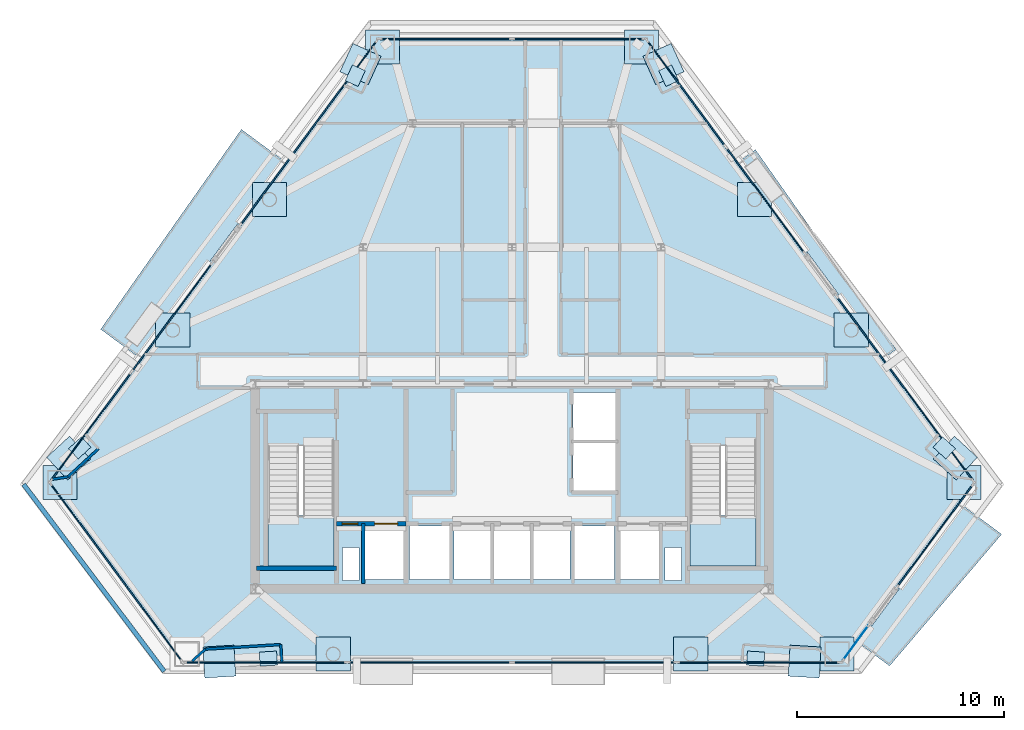
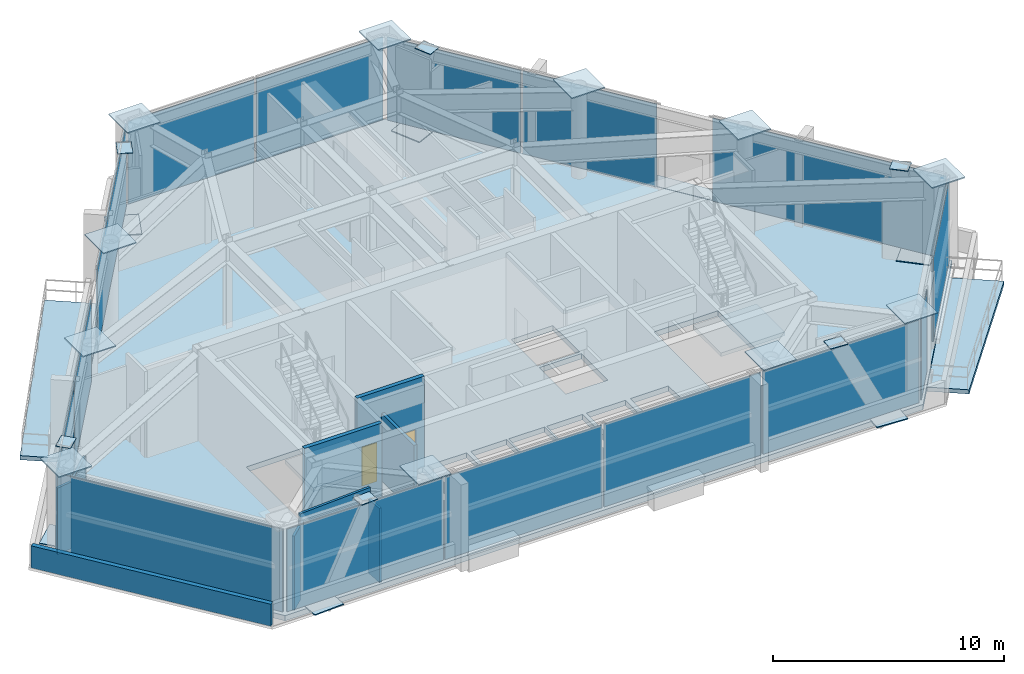
# One storey, part 4 of 9: 38 plates, 9 walls, 6 slabs, 2 doors, 2 openings, 11 elements without a shape of their own.
"""IFC4 building model written with IfcOpenShell, lengths in metres."""

from ifc_helpers import new_model, si_unit, direction, frame, frame_2d, origin, origin_2d, place, context, subcontext, project, spatial, polyline, rectangle, outline, extrude, source, transform, mapped, material, layer, layer_set, type_object, type_shapes, element, fill, aggregate, save


model = new_model("IFC4")

# Units and contexts
model_context = context("Model", 3, precision=1e-05, world=origin(), true_north=direction((0.0, 1.0)))
body_context = subcontext(model_context, "Body", "Model", "MODEL_VIEW")
ifc_project = project(units=[si_unit("LENGTHUNIT", "METRE"), si_unit("AREAUNIT", "SQUARE_METRE"), si_unit("VOLUMEUNIT", "CUBIC_METRE"), si_unit("PLANEANGLEUNIT", "RADIAN"), si_unit("MASSUNIT", "GRAM", prefix="KILO")], contexts=[model_context])

# Site, building, storey
site_placement = place(None, origin())
site = spatial("IfcSite", under=ifc_project, at=site_placement, CompositionType="ELEMENT")
building_placement = place(site_placement, origin())
building = spatial("IfcBuilding", under=site, at=building_placement, Name="Talgorran Terracotta Tower", CompositionType="ELEMENT")
storey_placement = place(building_placement, frame((0.0, 0.0, 94.800048828125)))
storey = spatial("IfcBuildingStorey", under=building, at=storey_placement, Name="L24", CompositionType="ELEMENT", Elevation=94.800048828125)

# Plates
ifc_material_1 = material(Name="Steel Grade 350 (350L0)", Category="steel")
ifc_layer_1 = layer(ifc_material_1, 0.035888671875, Name="PL_CAP_MN06")
ifc_layer_set_1 = layer_set([ifc_layer_1], Name="Steel Grade 350 (350L0)")
plate_type_1 = type_object("IfcPlateType", Name="PL_CAP_MN06", PredefinedType="USERDEFINED", material=ifc_layer_set_1)
for number, where, z_axis, x_axis, name in (
    (1, (-11.77099609375, -17.4677734375, 4.52197265625), (0.0, 0.0, 1.0), (0.9981454382, 0.06087433122, 0.0), "L24 Diagonal Frame End Cap SWF Top"),
    (2, (11.77099609375, -17.4677734375, 4.52197265625), (0.0, 0.0, 1.0), (-0.9981454382, 0.06087433122, 0.0), "L24 Diagonal Frame End Cap SEF Top"),
    (3, (20.881591796875, -7.2880859375, 4.52197265625), (0.0, 0.0, 1.0), (-0.735387860781, 0.67764643747, 0.0), "L24 Diagonal Frame End Cap NEL Top"),
    (4, (7.572021484375, 10.694580078125, 4.52197265625), (0.0, 0.0, 1.0), (0.41294547925, -0.91075574726, 0.0), "L24 Diagonal Frame End Cap NEU Top"),
    (5, (-7.572021484375, 10.694580078125, 4.52197265625), (0.0, 0.0, 1.0), (-0.41294547925, -0.91075574726, 0.0), "L24 Diagonal Frame End Cap NWU Top"),
    (6, (-20.881591796875, -7.2880859375, 4.52197265625), (0.0, 0.0, 1.0), (0.735387860781, 0.67764643747, 0.0), "L24 Diagonal Frame End Cap NWL Top"),
):
    element("IfcPlate", number, at=place(storey_placement, frame(where, z_axis=z_axis, x_axis=x_axis)), inside=storey, type_object=plate_type_1, Name=name, ObjectType="CAP PLATE", PredefinedType="USERDEFINED", context=body_context, shape_type="SweptSolid", body=[
        extrude(rectangle(XDim=0.840087890625, YDim=0.679931640625, at=origin_2d()), origin(), (0.0, 0.0, 1.0), 0.035888671875),
    ])
ifc_layer_2 = layer(ifc_material_1, 0.06005859375, Name="PL_NODE_MN01")
ifc_layer_set_2 = layer_set([ifc_layer_2], Name="Steel Grade 350 (350L0)")
plate_type_2 = type_object("IfcPlateType", Name="PL_NODE_MN01", PredefinedType="USERDEFINED", material=ifc_layer_set_2)
for number, where, z_axis, x_axis, name in (
    (7, (-21.843994140625, -8.96142578125, 4.784912109375), (0.0, 0.0, 1.0), (1.0, 0.0, 0.0), "L24 Mega-Column Cap Plate MC1"),
    (8, (15.70361328125, -17.252197265625, 4.784912109375), (0.0, 0.0, 1.0), (1.0, 0.0, 0.0), "L24 Mega-Column Cap Plate MC3"),
    (9, (21.843994140625, -8.96142578125, 4.784912109375), (0.0, 0.0, 1.0), (1.0, 0.0, 0.0), "L24 Mega-Column Cap Plate MC4"),
    (10, (6.263671875, 12.074951171875, 4.784912109375), (0.0, 0.0, 1.0), (1.0, 0.0, 0.0), "L24 Mega-Column Cap Plate MC5"),
    (11, (-6.263671875, 12.074951171875, 4.784912109375), (0.0, 0.0, 1.0), (1.0, 0.0, 0.0), "L24 Mega-Column Cap Plate MC6"),
    (12, (-8.636962890625, -17.252197265625, 4.784912109375), (0.0, 0.0, 1.0), (1.0, 0.0, 0.0), "L24 Facet Column Cap Plate FC1"),
    (13, (8.636962890625, -17.252197265625, 4.784912109375), (0.0, 0.0, 1.0), (1.0, 0.0, 0.0), "L24 Facet Column Cap Plate FC2"),
    (14, (16.390869140625, -1.598876953125, 4.784912109375), (0.0, 0.0, 1.0), (1.0, 0.0, 0.0), "L24 Facet Column Cap Plate FC3"),
    (15, (11.716796875, 4.712158203125, 4.784912109375), (0.0, 0.0, 1.0), (1.0, 0.0, 0.0), "L24 Facet Column Cap Plate FC4"),
    (16, (-11.716796875, 4.712158203125, 4.784912109375), (0.0, 0.0, 1.0), (1.0, 0.0, 0.0), "L24 Facet Column Cap Plate FC5"),
    (17, (-16.390869140625, -1.598876953125, 4.784912109375), (0.0, 0.0, 1.0), (1.0, 0.0, 0.0), "L24 Facet Column Cap Plate FC6"),
):
    element("IfcPlate", number, at=place(storey_placement, frame(where, z_axis=z_axis, x_axis=x_axis)), inside=storey, type_object=plate_type_2, Name=name, ObjectType="NODE PLATE", PredefinedType="USERDEFINED", context=body_context, shape_type="SweptSolid", body=[
        extrude(rectangle(XDim=1.64990234375, YDim=1.64990234375, at=origin_2d()), origin(), (0.0, 0.0, 1.0), 0.06005859375),
    ])
ifc_layer_3 = layer(ifc_material_1, 0.054931640625, Name="PL_NODE_MN02")
ifc_layer_set_3 = layer_set([ifc_layer_3], Name="Steel Grade 350 (350L0)")
plate_type_3 = type_object("IfcPlateType", Name="PL_NODE_MN02", PredefinedType="USERDEFINED", material=ifc_layer_set_3)
for number, where, z_axis, x_axis, name in (
    (18, (-14.1376953125, -17.6123046875, -0.017578125), (0.0, 0.0, 1.0), (0.9981454382, 0.06087433122, 0.0), "L24 Diagonal Frame End Cap SWF Bot"),
    (19, (14.1376953125, -17.6123046875, -0.017578125), (0.0, 0.0, 1.0), (-0.9981454382, 0.06087433122, 0.0), "L24 Diagonal Frame End Cap SEF Bot"),
    (20, (21.42041015625, -7.78466796875, -0.017578125), (0.0, 0.0, 1.0), (-0.735387860781, 0.67764643747, 0.0), "L24 Diagonal Frame End Cap NEL Bot"),
    (21, (7.316650390625, 11.258056640625, -0.017578125), (0.0, 0.0, 1.0), (0.41294547925, -0.91075574726, 0.0), "L24 Diagonal Frame End Cap NEU Bot"),
    (22, (-7.316650390625, 11.258056640625, -0.017578125), (0.0, 0.0, 1.0), (-0.41294547925, -0.91075574726, 0.0), "L24 Diagonal Frame End Cap NWU Bot"),
    (23, (-21.42041015625, -7.78466796875, -0.017578125), (0.0, 0.0, 1.0), (0.735387860781, 0.67764643747, 0.0), "L24 Diagonal Frame End Cap NWL Bot"),
):
    element("IfcPlate", number, at=place(storey_placement, frame(where, z_axis=z_axis, x_axis=x_axis)), inside=storey, type_object=plate_type_3, Name=name, ObjectType="NODE PLATE", PredefinedType="USERDEFINED", context=body_context, shape_type="SweptSolid", body=[
        extrude(rectangle(XDim=1.5, YDim=1.5, at=origin_2d()), origin(), (0.0, 0.0, 1.0), 0.054931640625),
    ])

# Slabs
ifc_material_2 = material(Name="Concrete C40/50", Category="concrete")
ifc_layer_4 = layer(ifc_material_2, 0.219970703125, Name="SL_BALCONY_220")
ifc_layer_set_4 = layer_set([ifc_layer_4], Name="Concrete C40/50")
slab_type_1 = type_object("IfcSlabType", Name="SL_BALCONY_220", PredefinedType="FLOOR", material=ifc_layer_set_4)
slab_1_placement = place(storey_placement, frame((0.0, 0.0, -0.219970703125)))
element("IfcSlab", 24, at=slab_1_placement, inside=storey, type_object=slab_type_1, Name="L24 Outdoor Wave Balcony BAL-NE", PredefinedType="FLOOR", context=body_context, shape_type="SweptSolid", body=[
    extrude(outline(polyline([(11.008056640625, 6.568115234375), (18.03271484375, -2.916748046875), (18.554931640625, -2.530029296875), (11.757568359375, 7.123291015625), (11.008056640625, 6.568115234375)])), origin(), (0.0, 0.0, 1.0), 0.219970703125),
])
slab_2_placement = place(storey_placement, frame((0.0, 0.0, -0.219970703125)))
element("IfcSlab", 25, at=slab_2_placement, inside=storey, type_object=slab_type_1, Name="L24 Outdoor Wave Balcony BAL-NW", PredefinedType="FLOOR", context=body_context, shape_type="SweptSolid", body=[
    extrude(outline(polyline([(-18.03271484375, -2.916748046875), (-11.008056640625, 6.568115234375), (-13.073486328125, 8.097900390625), (-19.870849609375, -1.555419921875), (-18.03271484375, -2.916748046875)])), origin(), (0.0, 0.0, 1.0), 0.219970703125),
])
slab_3_placement = place(storey_placement, frame((0.0, 0.0, -0.219970703125)))
element("IfcSlab", 26, at=slab_3_placement, inside=storey, type_object=slab_type_1, Name="L24 Outdoor Wave Balcony BAL-SE", PredefinedType="FLOOR", context=body_context, shape_type="SweptSolid", body=[
    extrude(outline(polyline([(21.72021484375, -10.027587890625), (16.7607421875, -16.723876953125), (18.24169921875, -17.820556640625), (23.655517578125, -11.461181640625), (21.72021484375, -10.027587890625)])), origin(), (0.0, 0.0, 1.0), 0.219970703125),
])
ifc_layer_5 = layer(ifc_material_2, 0.280029296875, Name="SL_HALL_280")
ifc_layer_set_5 = layer_set([ifc_layer_5], Name="Concrete C40/50")
slab_type_2 = type_object("IfcSlabType", Name="SL_HALL_280", PredefinedType="FLOOR", material=ifc_layer_set_5)
slab_4_placement = place(storey_placement, frame((0.0, 0.0, -0.280029296875)))
element("IfcSlab", 27, at=slab_4_placement, inside=storey, type_object=slab_type_2, Name="Storey L24 Structural Floor Slab", PredefinedType="FLOOR", context=body_context, shape_type="SweptSolid", body=[
    extrude(outline(polyline([(-22.4912109375, -8.96142578125), (-15.965576171875, -17.772216796875), (15.965576171875, -17.772216796875), (22.4912109375, -8.96142578125), (6.525634765625, 12.594970703125), (-6.525634765625, 12.594970703125), (-22.4912109375, -8.96142578125)]), holes=[polyline([(-11.800048828125, -7.199951171875), (-11.800048828125, -13.0), (-8.60009765625, -13.0), (-8.60009765625, -7.199951171875), (-11.800048828125, -7.199951171875)]), polyline([(8.60009765625, -7.199951171875), (8.60009765625, -13.0), (11.800048828125, -13.0), (11.800048828125, -7.199951171875), (8.60009765625, -7.199951171875)]), polyline([(-7.10009765625, -13.64990234375), (-5.199951171875, -13.64990234375), (-5.199951171875, -11.050048828125), (-7.10009765625, -11.050048828125), (-7.10009765625, -13.64990234375)]), polyline([(5.199951171875, -13.64990234375), (7.10009765625, -13.64990234375), (7.10009765625, -11.050048828125), (5.199951171875, -11.050048828125), (5.199951171875, -13.64990234375)]), polyline([(3.0, -13.64990234375), (4.949951171875, -13.64990234375), (4.949951171875, -11.050048828125), (3.0, -11.050048828125), (3.0, -13.64990234375)]), polyline([(-4.949951171875, -13.64990234375), (-3.0, -13.64990234375), (-3.0, -11.050048828125), (-4.949951171875, -11.050048828125), (-4.949951171875, -13.64990234375)]), polyline([(2.949951171875, -9.35009765625), (5.050048828125, -9.35009765625), (5.050048828125, -7.050048828125), (2.949951171875, -7.050048828125), (2.949951171875, -9.35009765625)]), polyline([(2.949951171875, -6.89990234375), (5.050048828125, -6.89990234375), (5.050048828125, -4.60009765625), (2.949951171875, -4.60009765625), (2.949951171875, -6.89990234375)]), polyline([(-2.800048828125, -13.64990234375), (-1.0, -13.64990234375), (-1.0, -11.050048828125), (-2.800048828125, -11.050048828125), (-2.800048828125, -13.64990234375)]), polyline([(-0.89990234375, -13.64990234375), (0.89990234375, -13.64990234375), (0.89990234375, -11.050048828125), (-0.89990234375, -11.050048828125), (-0.89990234375, -13.64990234375)]), polyline([(1.0, -13.64990234375), (2.800048828125, -13.64990234375), (2.800048828125, -11.050048828125), (1.0, -11.050048828125), (1.0, -13.64990234375)]), polyline([(-8.199951171875, -13.699951171875), (-7.39990234375, -13.699951171875), (-7.39990234375, -12.10009765625), (-8.199951171875, -12.10009765625), (-8.199951171875, -13.699951171875)]), polyline([(7.39990234375, -13.699951171875), (8.199951171875, -13.699951171875), (8.199951171875, -12.10009765625), (7.39990234375, -12.10009765625), (7.39990234375, -13.699951171875)])]), origin(), (0.0, 0.0, 1.0), 0.280029296875),
])

# Stair, slab
stair_type = type_object("IfcStairType", Name="ST_FIRE_SCISSOR", PredefinedType="HALF_TURN_STAIR", material=ifc_material_2)
stair_1_placement = place(storey_placement, origin())
stair_1 = element("IfcStair", 28, at=stair_1_placement, inside=storey, type_object=stair_type, Name="L24 West Protected Fire Stair ST-01", PredefinedType="HALF_TURN_STAIR")
ifc_layer_6 = layer(ifc_material_2, 0.199951171875, Name="SL_LANDING_200")
ifc_layer_set_6 = layer_set([ifc_layer_6], Name="Concrete C40/50")
slab_type_3 = type_object("IfcSlabType", Name="SL_LANDING_200", PredefinedType="LANDING", material=ifc_layer_set_6)
slab_5_placement = place(storey_placement, frame((0.0, 0.0, 2.199951171875)))
slab_5 = element("IfcSlab", 29, at=slab_5_placement, type_object=slab_type_3, Name="ST-01 landing 1", PredefinedType="LANDING", context=body_context, shape_type="SweptSolid", body=[
    extrude(outline(polyline([(-11.800048828125, -10.56005859375), (-11.800048828125, -13.0), (-8.60009765625, -13.0), (-8.60009765625, -10.56005859375), (-11.800048828125, -10.56005859375)])), origin(), (0.0, 0.0, 1.0), 0.199951171875),
])
aggregate(stair_1, [slab_5])

stair_2_placement = place(storey_placement, origin())
stair_2 = element("IfcStair", 30, at=stair_2_placement, inside=storey, type_object=stair_type, Name="L24 East Protected Fire Stair ST-02", PredefinedType="HALF_TURN_STAIR")
slab_6_placement = place(storey_placement, frame((0.0, 0.0, 2.199951171875)))
slab_6 = element("IfcSlab", 31, at=slab_6_placement, type_object=slab_type_3, Name="ST-02 landing 1", PredefinedType="LANDING", context=body_context, shape_type="SweptSolid", body=[
    extrude(outline(polyline([(8.60009765625, -10.56005859375), (8.60009765625, -13.0), (11.800048828125, -13.0), (11.800048828125, -10.56005859375), (8.60009765625, -10.56005859375)])), origin(), (0.0, 0.0, 1.0), 0.199951171875),
])
aggregate(stair_2, [slab_6])

# Curtain wall, plate
ifc_material_3 = material(Name="Structural Laminated Low-Iron")
ifc_layer_7 = layer(ifc_material_3, 0.239990234375, Name="CW_SYS5_SKY_OBS")
ifc_layer_set_7 = layer_set([ifc_layer_7], Name="Structural Laminated Low-Iron")
curtain_wall_type = type_object("IfcCurtainWallType", Name="CW_SYS5_SKY_OBS", PredefinedType="NOTDEFINED", material=ifc_layer_set_7)
curtain_wall_1_placement = place(storey_placement, origin())
curtain_wall_1 = element("IfcCurtainWall", 32, at=curtain_wall_1_placement, inside=storey, type_object=curtain_wall_type, Name="CW-L24-F0", PredefinedType="NOTDEFINED")
ifc_material_4 = material(Name="Terracotta Insulated Spandrel", Category="masonry")
ifc_layer_8 = layer(ifc_material_4, 0.06494140625, Name="PLT_SPANDREL_TERRA")
ifc_layer_set_8 = layer_set([ifc_layer_8], Name="Terracotta Insulated Spandrel")
plate_type_4 = type_object("IfcPlateType", Name="PLT_SPANDREL_TERRA", PredefinedType="SHEET", material=ifc_layer_set_8)
shared_shape_1 = source(origin(), body_context, "Body", "SweptSolid", [
    extrude(rectangle(XDim=10.634765625, YDim=0.06494140625, at=origin_2d()), origin(), (0.0, 0.0, 1.0), 4.3701171875),
])
plate_1_placement = place(storey_placement, frame((-19.12353515625, -13.306884765625, 0.08984375), z_axis=(0.0, 0.0, 1.0), x_axis=(0.595176467849, -0.803595029924, 0.0)))
plate_1 = element("IfcPlate", 33, at=plate_1_placement, type_object=plate_type_4, Name="CW-L24-0 panel 1.1", PredefinedType="CURTAIN_PANEL", context=body_context, shape_type="MappedRepresentation", body=[
    mapped(shared_shape_1, transform((0.0, 0.0, 0.0), scale=1.0)),
])
aggregate(curtain_wall_1, [plate_1])

# Curtain wall, plates
curtain_wall_2_placement = place(storey_placement, origin())
curtain_wall_2 = element("IfcCurtainWall", 34, at=curtain_wall_2_placement, inside=storey, type_object=curtain_wall_type, Name="CW-L24-F1", PredefinedType="NOTDEFINED")
shared_shape_2 = source(origin(), body_context, "Body", "SweptSolid", [
    extrude(rectangle(XDim=7.817626953125, YDim=0.06494140625, at=origin_2d()), origin(), (0.0, 0.0, 1.0), 4.3701171875),
])
plate_2_placement = place(storey_placement, frame((-11.90625, -17.652099609375, 0.08984375), z_axis=(0.0, 0.0, 1.0), x_axis=(1.0, 0.0, 0.0)))
plate_2 = element("IfcPlate", 35, at=plate_2_placement, type_object=plate_type_4, Name="CW-L24-1 panel 1.1", PredefinedType="CURTAIN_PANEL", context=body_context, shape_type="MappedRepresentation", body=[
    mapped(shared_shape_2, transform((0.0, 0.0, 0.0), scale=1.0)),
])
plate_3_placement = place(storey_placement, frame((11.90625, -17.652099609375, 0.08984375), z_axis=(0.0, 0.0, 1.0), x_axis=(1.0, 0.0, 0.0)))
plate_3 = element("IfcPlate", 36, at=plate_3_placement, type_object=plate_type_4, Name="CW-L24-1 panel 4.1", PredefinedType="CURTAIN_PANEL", context=body_context, shape_type="MappedRepresentation", body=[
    mapped(shared_shape_2, transform((0.0, 0.0, 0.0), scale=1.0)),
])
shared_shape_3 = source(origin(), body_context, "Body", "SweptSolid", [
    extrude(rectangle(XDim=7.862548828125, YDim=0.06494140625, at=origin_2d()), origin(), (0.0, 0.0, 1.0), 4.3701171875),
])
plate_4_placement = place(storey_placement, frame((-3.976318359375, -17.652099609375, 0.08984375), z_axis=(0.0, 0.0, 1.0), x_axis=(1.0, 0.0, 0.0)))
plate_4 = element("IfcPlate", 37, at=plate_4_placement, type_object=plate_type_4, Name="CW-L24-1 panel 2.1", PredefinedType="CURTAIN_PANEL", context=body_context, shape_type="MappedRepresentation", body=[
    mapped(shared_shape_3, transform((0.0, 0.0, 0.0), scale=1.0)),
])
plate_5_placement = place(storey_placement, frame((3.976318359375, -17.652099609375, 0.08984375), z_axis=(0.0, 0.0, 1.0), x_axis=(1.0, 0.0, 0.0)))
plate_5 = element("IfcPlate", 38, at=plate_5_placement, type_object=plate_type_4, Name="CW-L24-1 panel 3.1", PredefinedType="CURTAIN_PANEL", context=body_context, shape_type="MappedRepresentation", body=[
    mapped(shared_shape_3, transform((0.0, 0.0, 0.0), scale=1.0)),
])
aggregate(curtain_wall_2, [plate_2, plate_4, plate_5, plate_3])

# Curtain wall, plate
curtain_wall_3_placement = place(storey_placement, origin())
curtain_wall_3 = element("IfcCurtainWall", 39, at=curtain_wall_3_placement, inside=storey, type_object=curtain_wall_type, Name="CW-L24-F30", PredefinedType="NOTDEFINED")
ifc_material_5 = material(Name="Low-Iron Structural Vision Glass", Category="glass")
ifc_layer_9 = layer(ifc_material_5, 0.035888671875, Name="PLT_LOWIRON_36")
ifc_layer_set_9 = layer_set([ifc_layer_9], Name="Low-Iron Structural Vision Glass")
plate_type_5 = type_object("IfcPlateType", Name="PLT_LOWIRON_36", PredefinedType="CURTAIN_PANEL", material=ifc_layer_set_9)
shared_shape_4 = source(origin(), body_context, "Body", "SweptSolid", [
    extrude(rectangle(XDim=2.1044921875, YDim=0.035888671875, at=origin_2d()), origin(), (0.0, 0.0, 1.0), 4.3701171875),
])
type_shapes(plate_type_5, [shared_shape_4])
plate_6_placement = place(storey_placement, frame((16.608642578125, -16.7021484375, 0.08984375), z_axis=(0.0, 0.0, 1.0), x_axis=(0.595163694034, 0.803604490595, 0.0)))
plate_6 = element("IfcPlate", 40, at=plate_6_placement, type_object=plate_type_5, Name="CW-L24-30 panel 1.1", PredefinedType="CURTAIN_PANEL", context=body_context, shape_type="MappedRepresentation", body=[
    mapped(shared_shape_4, transform((0.0, 0.0, 0.0), scale=1.0)),
])
aggregate(curtain_wall_3, [plate_6])

curtain_wall_4_placement = place(storey_placement, origin())
curtain_wall_4 = element("IfcCurtainWall", 41, at=curtain_wall_4_placement, inside=storey, type_object=curtain_wall_type, Name="CW-L24-F31", PredefinedType="NOTDEFINED")
shared_shape_5 = source(origin(), body_context, "Body", "SweptSolid", [
    extrude(rectangle(XDim=6.1103515625, YDim=0.06494140625, at=origin_2d()), origin(), (0.0, 0.0, 1.0), 4.3701171875),
])
plate_7_placement = place(storey_placement, frame((20.446044921875, -11.52099609375, 0.08984375), z_axis=(0.0, 0.0, 1.0), x_axis=(0.595169000221, 0.803600560712, 0.0)))
plate_7 = element("IfcPlate", 42, at=plate_7_placement, type_object=plate_type_4, Name="CW-L24-31 panel 1.1", PredefinedType="CURTAIN_PANEL", context=body_context, shape_type="MappedRepresentation", body=[
    mapped(shared_shape_5, transform((0.0, 0.0, 0.0), scale=1.0)),
])
aggregate(curtain_wall_4, [plate_7])

curtain_wall_5_placement = place(storey_placement, origin())
curtain_wall_5 = element("IfcCurtainWall", 43, at=curtain_wall_5_placement, inside=storey, type_object=curtain_wall_type, Name="CW-L24-F40", PredefinedType="NOTDEFINED")
shared_shape_6 = source(origin(), body_context, "Body", "SweptSolid", [
    extrude(rectangle(XDim=11.03515625, YDim=0.06494140625, at=origin_2d()), origin(), (0.0, 0.0, 1.0), 4.3701171875),
])
plate_8_placement = place(storey_placement, frame((18.98046875, -4.423095703125, 0.08984375), z_axis=(0.0, 0.0, 1.0), x_axis=(-0.595174240056, 0.803596679917, 0.0)))
plate_8 = element("IfcPlate", 44, at=plate_8_placement, type_object=plate_type_4, Name="CW-L24-40 panel 1.1", PredefinedType="CURTAIN_PANEL", context=body_context, shape_type="MappedRepresentation", body=[
    mapped(shared_shape_6, transform((0.0, 0.0, 0.0), scale=1.0)),
])
aggregate(curtain_wall_5, [plate_8])

# Curtain wall, plates
curtain_wall_6_placement = place(storey_placement, origin())
curtain_wall_6 = element("IfcCurtainWall", 45, at=curtain_wall_6_placement, inside=storey, type_object=curtain_wall_type, Name="CW-L24-F41", PredefinedType="NOTDEFINED")
shared_shape_7 = source(origin(), body_context, "Body", "SweptSolid", [
    extrude(rectangle(XDim=6.3251953125, YDim=0.06494140625, at=origin_2d()), origin(), (0.0, 0.0, 1.0), 4.3701171875),
])
plate_9_placement = place(storey_placement, frame((12.242919921875, 4.673828125, 0.08984375), z_axis=(0.0, 0.0, 1.0), x_axis=(-0.595174427225, 0.803596541293, 0.0)))
plate_9 = element("IfcPlate", 46, at=plate_9_placement, type_object=plate_type_4, Name="CW-L24-41 panel 1.1", PredefinedType="CURTAIN_PANEL", context=body_context, shape_type="MappedRepresentation", body=[
    mapped(shared_shape_7, transform((0.0, 0.0, 0.0), scale=1.0)),
])
plate_10_placement = place(storey_placement, frame((8.4248046875, 9.8291015625, 0.08984375), z_axis=(0.0, 0.0, 1.0), x_axis=(-0.595174427225, 0.803596541293, 0.0)))
plate_10 = element("IfcPlate", 47, at=plate_10_placement, type_object=plate_type_4, Name="CW-L24-41 panel 2.1", PredefinedType="CURTAIN_PANEL", context=body_context, shape_type="MappedRepresentation", body=[
    mapped(shared_shape_7, transform((0.0, 0.0, 0.0), scale=1.0)),
])
aggregate(curtain_wall_6, [plate_9, plate_10])

curtain_wall_7_placement = place(storey_placement, origin())
curtain_wall_7 = element("IfcCurtainWall", 48, at=curtain_wall_7_placement, inside=storey, type_object=curtain_wall_type, Name="CW-L24-F4", PredefinedType="NOTDEFINED")
shared_shape_8 = source(origin(), body_context, "Body", "SweptSolid", [
    extrude(rectangle(XDim=6.330078125, YDim=0.06494140625, at=origin_2d()), origin(), (0.0, 0.0, 1.0), 4.3701171875),
])
plate_11_placement = place(storey_placement, frame((3.2099609375, 12.474853515625, 0.08984375), z_axis=(0.0, 0.0, 1.0), x_axis=(-1.0, 0.0, 0.0)))
plate_11 = element("IfcPlate", 49, at=plate_11_placement, type_object=plate_type_4, Name="CW-L24-4 panel 1.1", PredefinedType="CURTAIN_PANEL", context=body_context, shape_type="MappedRepresentation", body=[
    mapped(shared_shape_8, transform((0.0, 0.0, 0.0), scale=1.0)),
])
plate_12_placement = place(storey_placement, frame((-3.2099609375, 12.474853515625, 0.08984375), z_axis=(0.0, 0.0, 1.0), x_axis=(-1.0, 0.0, 0.0)))
plate_12 = element("IfcPlate", 50, at=plate_12_placement, type_object=plate_type_4, Name="CW-L24-4 panel 2.1", PredefinedType="CURTAIN_PANEL", context=body_context, shape_type="MappedRepresentation", body=[
    mapped(shared_shape_8, transform((0.0, 0.0, 0.0), scale=1.0)),
])
aggregate(curtain_wall_7, [plate_11, plate_12])

# Curtain wall, plate
curtain_wall_8_placement = place(storey_placement, origin())
curtain_wall_8 = element("IfcCurtainWall", 51, at=curtain_wall_8_placement, inside=storey, type_object=curtain_wall_type, Name="CW-L24-F60", PredefinedType="NOTDEFINED")
shared_shape_9 = source(origin(), body_context, "Body", "SweptSolid", [
    extrude(rectangle(XDim=11.040283203125, YDim=0.06494140625, at=origin_2d()), origin(), (0.0, 0.0, 1.0), 4.3701171875),
])
plate_13_placement = place(storey_placement, frame((-9.827880859375, 7.9345703125, 0.08984375), z_axis=(0.0, 0.0, 1.0), x_axis=(-0.595177888016, -0.803593978086, 0.0)))
plate_13 = element("IfcPlate", 52, at=plate_13_placement, type_object=plate_type_4, Name="CW-L24-60 panel 1.1", PredefinedType="CURTAIN_PANEL", context=body_context, shape_type="MappedRepresentation", body=[
    mapped(shared_shape_9, transform((0.0, 0.0, 0.0), scale=1.0)),
])
aggregate(curtain_wall_8, [plate_13])

# Curtain wall, plates
curtain_wall_9_placement = place(storey_placement, origin())
curtain_wall_9 = element("IfcCurtainWall", 53, at=curtain_wall_9_placement, inside=storey, type_object=curtain_wall_type, Name="CW-L24-F61", PredefinedType="NOTDEFINED")
shared_shape_10 = source(origin(), body_context, "Body", "SweptSolid", [
    extrude(rectangle(XDim=6.47265625, YDim=0.06494140625, at=origin_2d()), origin(), (0.0, 0.0, 1.0), 4.3701171875),
])
type_shapes(plate_type_4, [shared_shape_1, shared_shape_2, shared_shape_3, shared_shape_5, shared_shape_6, shared_shape_7, shared_shape_8, shared_shape_9, shared_shape_10])
plate_14_placement = place(storey_placement, frame((-16.432373046875, -0.982666015625, 0.08984375), z_axis=(0.0, 0.0, 1.0), x_axis=(-0.595177784607, -0.803594054676, 0.0)))
plate_14 = element("IfcPlate", 54, at=plate_14_placement, type_object=plate_type_4, Name="CW-L24-61 panel 1.1", PredefinedType="CURTAIN_PANEL", context=body_context, shape_type="MappedRepresentation", body=[
    mapped(shared_shape_10, transform((0.0, 0.0, 0.0), scale=1.0)),
])
plate_15_placement = place(storey_placement, frame((-20.338134765625, -6.25634765625, 0.08984375), z_axis=(0.0, 0.0, 1.0), x_axis=(-0.595177784607, -0.803594054676, 0.0)))
plate_15 = element("IfcPlate", 55, at=plate_15_placement, type_object=plate_type_4, Name="CW-L24-61 panel 2.1", PredefinedType="CURTAIN_PANEL", context=body_context, shape_type="MappedRepresentation", body=[
    mapped(shared_shape_10, transform((0.0, 0.0, 0.0), scale=1.0)),
])
aggregate(curtain_wall_9, [plate_14, plate_15])

# Wall
ifc_material_6 = material(Name="Concrete C50/60", Category="concrete")
ifc_layer_10 = layer(ifc_material_6, 0.199951171875, Name="WT_CORE_200")
ifc_layer_set_10 = layer_set([ifc_layer_10], Name="Concrete C50/60")
wall_type_1 = type_object("IfcWallType", Name="WT_CORE_200", PredefinedType="SOLIDWALL", material=ifc_layer_set_10)
wall_1_placement = place(storey_placement, frame((-12.35009765625, -13.10009765625, 0.0), z_axis=(0.0, 0.0, 1.0), x_axis=(1.0, 0.0, 0.0)))
element("IfcWall", 56, at=wall_1_placement, inside=storey, type_object=wall_type_1, Name="WL-L24-CW-ST1-S", PredefinedType="SOLIDWALL", context=body_context, shape_type="SweptSolid", body=[
    extrude(rectangle(XDim=3.8701171875, YDim=0.199951171875, at=frame_2d((1.93505859375, 0.0))), origin(), (0.0, 0.0, 1.0), 4.800048828125),
])

# Wall, openings, doors
wall_2_placement = place(storey_placement, frame((-8.47998046875, -10.949951171875, 0.0), z_axis=(0.0, 0.0, 1.0), x_axis=(1.0, 0.0, 0.0)))
wall_2 = element("IfcWall", 57, at=wall_2_placement, inside=storey, type_object=wall_type_1, Name="WL-L24-CW-H-SBW", PredefinedType="SOLIDWALL", context=body_context, shape_type="SweptSolid", body=[
    extrude(rectangle(XDim=3.35986328125, YDim=0.199951171875, at=frame_2d((1.679931640625, 0.0))), origin(), (0.0, 0.0, 1.0), 4.800048828125),
])
opening_1_placement = place(wall_2_placement, frame((0.280029296875, 0.0, 0.0)))
opening_1 = element("IfcOpeningElement", 58, at=opening_1_placement, cuts=wall_2, Name="Opening DR-RSW", PredefinedType="OPENING", context=body_context, shape_type="SweptSolid", body=[
    extrude(rectangle(XDim=0.756, YDim=2.054048828125, at=frame_2d((0.375, 1.027099609375))), frame((0.0, 0.10986328125, 0.0), z_axis=(0.0, -1.0, 0.0), x_axis=(1.0, 0.0, 0.0)), (0.0, 0.0, 1.0), 0.219970703125),
])
opening_2_placement = place(wall_2_placement, frame((1.85009765625, 0.0, 0.0)))
opening_2 = element("IfcOpeningElement", 59, at=opening_2_placement, cuts=wall_2, Name="Opening LD-FFL1", PredefinedType="OPENING", context=body_context, shape_type="SweptSolid", body=[
    extrude(rectangle(XDim=1.10609765625, YDim=2.10409765625, at=frame_2d((0.550048828125, 1.052001953125))), frame((0.0, 0.10986328125, 0.0), z_axis=(0.0, -1.0, 0.0), x_axis=(1.0, 0.0, 0.0)), (0.0, 0.0, 1.0), 0.219970703125),
])
ifc_material_7 = material(Name="Brushed Stainless Steel Grade 304", Category="steel")
door_type_1 = type_object("IfcDoorType", Name="DT_LIFT_LD1100", OperationType="DOUBLE_DOOR_SLIDING", PredefinedType="DOOR", material=ifc_material_7)
door_1_placement = place(opening_2_placement, origin())
door_1 = element("IfcDoor", 60, at=door_1_placement, inside=storey, type_object=door_type_1, Name="L24 Lift Landing Door LD-FFL1", OperationType="DOUBLE_DOOR_SLIDING", OverallHeight=2.10009765625, OverallWidth=1.10009765625, PredefinedType="DOOR", context=body_context, shape_type="SweptSolid", body=[
    extrude(rectangle(XDim=1.10009765625, YDim=2.10009765625, at=frame_2d((0.550048828125, 1.050048828125))), frame((0.0, 0.02490234375, 0.0), z_axis=(0.0, -1.0, 0.0), x_axis=(1.0, 0.0, 0.0)), (0.0, 0.0, 1.0), 0.050048828125),
])
fill(opening_2, door_1)
ifc_material_8 = material(Name="Fire-Rated Pressed Steel", Category="steel")
door_type_2 = type_object("IfcDoorType", Name="DT_RISER_750", OperationType="NOTDEFINED", PredefinedType="DOOR", material=ifc_material_8)
door_2_placement = place(opening_1_placement, origin())
door_2 = element("IfcDoor", 61, at=door_2_placement, inside=storey, type_object=door_type_2, Name="DR-RSW", OperationType="SINGLE_SWING_LEFT", OverallHeight=2.050048828125, OverallWidth=0.75, PredefinedType="DOOR", context=body_context, shape_type="SweptSolid", body=[
    extrude(rectangle(XDim=0.75, YDim=2.050048828125, at=frame_2d((0.375, 1.02490234375))), frame((0.0, 0.02490234375, 0.0), z_axis=(0.0, -1.0, 0.0), x_axis=(1.0, 0.0, 0.0)), (0.0, 0.0, 1.0), 0.050048828125),
])
fill(opening_1, door_2)

# Walls
ifc_layer_11 = layer(ifc_material_2, 0.219970703125, Name="WT_PARAPET_RC")
ifc_layer_set_11 = layer_set([ifc_layer_11], Name="Concrete C40/50")
wall_type_2 = type_object("IfcWallType", Name="WT_PARAPET_RC", PredefinedType="PARAPET", material=ifc_layer_set_11)
wall_3_placement = place(storey_placement, frame((-23.594970703125, -9.0517578125, -0.02001953125), z_axis=(0.0, 0.0, 1.0), x_axis=(0.601053883543, -0.79920850163, 0.0)))
element("IfcWall", 62, at=wall_3_placement, inside=storey, type_object=wall_type_2, Name="WL-L24-PARAPET-1", PredefinedType="PARAPET", context=body_context, shape_type="SweptSolid", body=[
    extrude(rectangle(XDim=11.29931640625, YDim=0.219970703125, at=frame_2d((5.649658203125, 0.0))), origin(), (0.0, 0.0, 1.0), 1.169921875),
])
ifc_material_9 = material(Name="Insulated Steel Stud Plasterboard", Category="steel")
ifc_layer_12 = layer(ifc_material_9, 0.1201171875, Name="WT_PART_120")
ifc_layer_set_12 = layer_set([ifc_layer_12], Name="Insulated Steel Stud Plasterboard")
wall_type_3 = type_object("IfcWallType", Name="WT_PART_120", PredefinedType="PARTITIONING", material=ifc_layer_set_12)
wall_4_placement = place(storey_placement, frame((-14.8154296875, -17.012451171875, 0.0), z_axis=(0.0, 0.0, 1.0), x_axis=(0.998142834765, 0.060917004252, 0.0)))
element("IfcWall", 63, at=wall_4_placement, inside=storey, type_object=wall_type_3, Name="WL-L24-BW-L24-06", PredefinedType="PARTITIONING", context=body_context, shape_type="SweptSolid", body=[
    extrude(rectangle(XDim=3.651123046875, YDim=0.1201171875, at=frame_2d((1.82568359375, 0.0))), origin(), (0.0, 0.0, 1.0), 4.550048828125),
])
wall_5_placement = place(storey_placement, frame((-19.977294921875, -7.324951171875, 0.0), z_axis=(0.0, 0.0, 1.0), x_axis=(-0.735328734055, -0.677710596695, 0.0)))
element("IfcWall", 64, at=wall_5_placement, inside=storey, type_object=wall_type_3, Name="WL-L24-BW-L24-08", PredefinedType="PARTITIONING", context=body_context, shape_type="SweptSolid", body=[
    extrude(rectangle(XDim=2.0126953125, YDim=0.1201171875, at=frame_2d((1.00634765625, 0.0))), origin(), (0.0, 0.0, 1.0), 3.52490234375),
])
wall_6_placement = place(storey_placement, frame((-11.171142578125, -16.7900390625, 0.0), z_axis=(0.0, 0.0, 1.0), x_axis=(0.060918168673, -0.998142763699, 0.0)))
element("IfcWall", 65, at=wall_6_placement, inside=storey, type_object=wall_type_3, Name="WL-L24-BW-L24-04", PredefinedType="PARTITIONING", context=body_context, shape_type="SweptSolid", body=[
    extrude(rectangle(XDim=0.853515625, YDim=0.1201171875, at=frame_2d((0.4267578125, 0.0))), origin(), (0.0, 0.0, 1.0), 3.913330078125),
])
wall_7_placement = place(storey_placement, frame((-15.447509765625, -17.584716796875, 0.0), z_axis=(0.0, 0.0, 1.0), x_axis=(0.741311885278, 0.671160702623, 0.0)))
element("IfcWall", 66, at=wall_7_placement, inside=storey, type_object=wall_type_3, Name="WL-L24-BW-L24-05", PredefinedType="PARTITIONING", context=body_context, shape_type="SweptSolid", body=[
    extrude(rectangle(XDim=0.8525390625, YDim=0.1201171875, at=frame_2d((0.42626953125, 0.0))), origin(), (0.0, 0.0, 1.0), 3.913330078125),
])
wall_8_placement = place(storey_placement, frame((-21.457275390625, -8.68896484375, 0.0), z_axis=(0.0, 0.0, 1.0), x_axis=(-0.988441697341, -0.151601487322, 0.0)))
element("IfcWall", 67, at=wall_8_placement, inside=storey, type_object=wall_type_3, Name="WL-L24-BW-L24-09", PredefinedType="PARTITIONING", context=body_context, shape_type="SweptSolid", body=[
    extrude(rectangle(XDim=0.764892578125, YDim=0.1201171875, at=frame_2d((0.38232421875, 0.0))), origin(), (0.0, 0.0, 1.0), 3.52490234375),
])
ifc_material_10 = material(Name="Fire-Rated Shaftwall")
ifc_layer_13 = layer(ifc_material_10, 0.159912109375, Name="WT_PART_150")
ifc_layer_set_13 = layer_set([ifc_layer_13], Name="Fire-Rated Shaftwall")
wall_type_4 = type_object("IfcWallType", Name="WT_PART_150", PredefinedType="PARTITIONING", material=ifc_layer_set_13)
wall_9_placement = place(storey_placement, frame((-7.179931640625, -13.85009765625, 0.0), z_axis=(0.0, 0.0, 1.0), x_axis=(0.0, 1.0, 0.0)))
element("IfcWall", 68, at=wall_9_placement, inside=storey, type_object=wall_type_4, Name="WL-L24-CW-RSW", PredefinedType="PARTITIONING", context=body_context, shape_type="SweptSolid", body=[
    extrude(rectangle(XDim=2.900146484375, YDim=0.159912109375, at=frame_2d((1.4501953125, 0.0))), origin(), (0.0, 0.0, 1.0), 3.574951171875),
])

save(model, "model.ifc")
